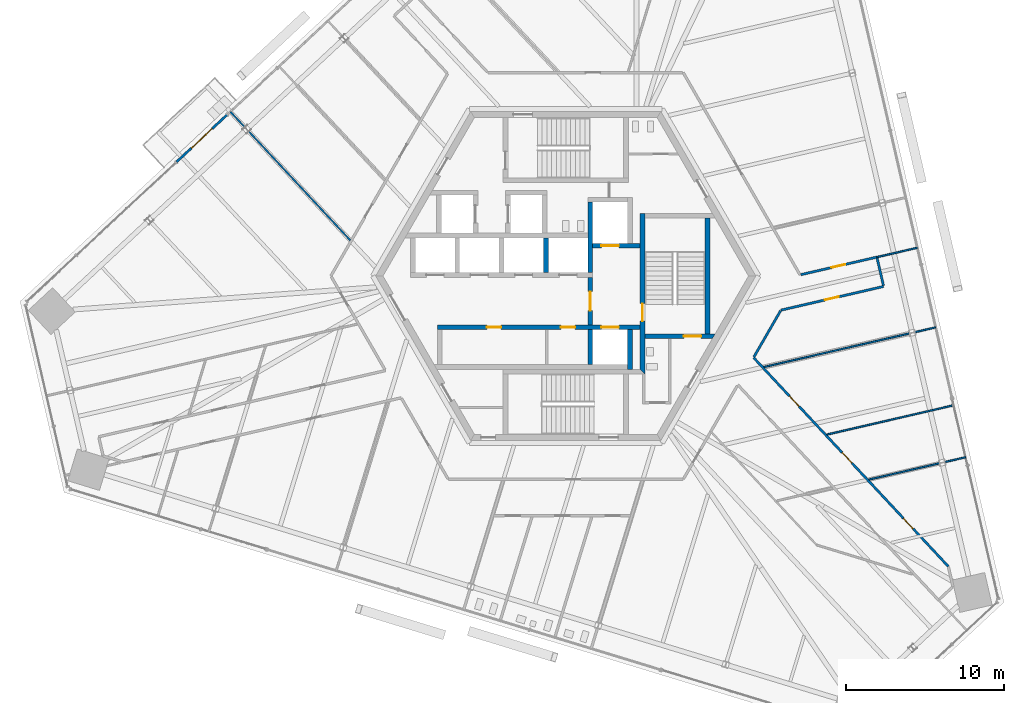
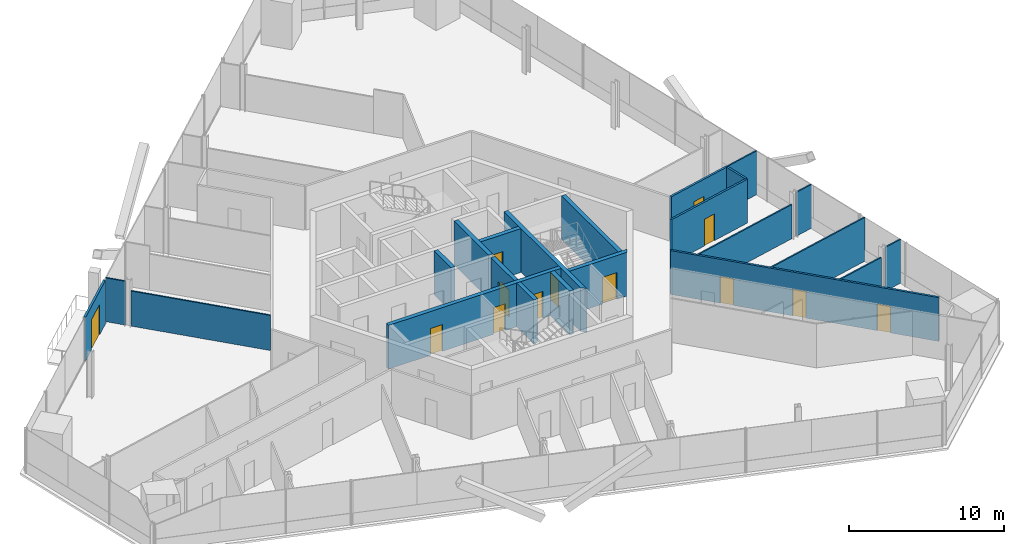
# One storey, part 14 of 20: 24 walls, 13 doors, 13 openings.
"""IFC4 building model written with IfcOpenShell, lengths in metres."""

from ifc_helpers import new_model, si_unit, direction, frame, frame_2d, origin, place, context, subcontext, project, spatial, polyline, rectangle, outline, extrude, source, transform, mapped, material, layer, layer_set, type_object, element, fill, save


model = new_model("IFC4")

# Units and contexts
model_context = context("Model", 3, precision=1e-05, world=origin(), true_north=direction((0.0, 1.0)))
body_context = subcontext(model_context, "Body", "Model", "MODEL_VIEW")
ifc_project = project(units=[si_unit("LENGTHUNIT", "METRE"), si_unit("AREAUNIT", "SQUARE_METRE"), si_unit("VOLUMEUNIT", "CUBIC_METRE"), si_unit("PLANEANGLEUNIT", "RADIAN"), si_unit("MASSUNIT", "GRAM", prefix="KILO")], contexts=[model_context])

# Site, building, storey
site_placement = place(None, origin())
site = spatial("IfcSite", under=ifc_project, at=site_placement, CompositionType="ELEMENT")
building_placement = place(site_placement, origin())
building = spatial("IfcBuilding", under=site, at=building_placement, Name="Triune Harvest Tower", CompositionType="ELEMENT")
storey_placement = place(building_placement, frame((0.0, 0.0, 116.300048828125)))
storey = spatial("IfcBuildingStorey", under=building, at=storey_placement, Name="L29", CompositionType="ELEMENT", Elevation=116.300048828125)

# Walls
ifc_material_1 = material(Name="Gypsum board on steel studs", Category="steel")
ifc_layer_1 = layer(ifc_material_1, 0.10009765625)
ifc_layer_set_1 = layer_set([ifc_layer_1], Name="Gypsum board on steel studs")
wall_type_1 = type_object("IfcWallType", Name="Partition 100 mm", PredefinedType="PARTITIONING", material=ifc_layer_set_1)
wall_1_placement = place(storey_placement, frame((16.4921875, -10.009765625, 0.0), z_axis=(0.0, 0.0, 1.0), x_axis=(0.9743726404, 0.22493989784, 0.0)))
element("IfcWall", 1, at=wall_1_placement, inside=storey, type_object=wall_type_1, Name="Partition L29 031", PredefinedType="PARTITIONING", context=body_context, shape_type="SweptSolid", body=[
    extrude(rectangle(XDim=8.206298828125, YDim=0.10009765625, at=frame_2d((4.10302734375, 0.0))), origin(), (0.0, 0.0, 1.0), 3.43994140625),
])
ifc_material_2 = material(Name="Concrete 70 MPa", Category="concrete")
ifc_layer_2 = layer(ifc_material_2, 0.300048828125)
ifc_layer_set_2 = layer_set([ifc_layer_2], Name="Concrete 70 MPa")
wall_type_2 = type_object("IfcWallType", Name="Core wall 300", PredefinedType="SHEAR", material=ifc_layer_set_2)
shared_shape_1 = source(origin(), body_context, "Body", "SweptSolid", [
    extrude(rectangle(XDim=2.5, YDim=0.300048828125, at=frame_2d((1.25, 0.0))), origin(), (0.0, 0.0, 1.0), 3.43994140625),
])
wall_2_placement = place(storey_placement, frame((4.050048828125, -5.889892578125, 0.0), z_axis=(0.0, 0.0, 1.0), x_axis=(0.0, 1.0, 0.0)))
element("IfcWall", 2, at=wall_2_placement, inside=storey, type_object=wall_type_2, Name="Ff2 east wall", PredefinedType="SHEAR", context=body_context, shape_type="MappedRepresentation", body=[
    mapped(shared_shape_1, transform((0.0, 0.0, 0.0), scale=1.0)),
])
shared_shape_2 = source(origin(), body_context, "Body", "SweptSolid", [
    extrude(rectangle(XDim=4.449951171875, YDim=0.300048828125, at=frame_2d((2.22509765625, 0.0))), origin(), (0.0, 0.0, 1.0), 3.43994140625),
])
wall_3_placement = place(storey_placement, frame((1.550048828125, 0.2099609375, 0.0), z_axis=(0.0, 0.0, 1.0), x_axis=(0.0, 1.0, 0.0)))
element("IfcWall", 3, at=wall_3_placement, inside=storey, type_object=wall_type_2, Name="Ff1 west wall", PredefinedType="SHEAR", context=body_context, shape_type="MappedRepresentation", body=[
    mapped(shared_shape_2, transform((0.0, 0.0, 0.0), scale=1.0)),
])

# Wall, opening, door
shared_shape_3 = source(origin(), body_context, "Body", "SweptSolid", [
    extrude(rectangle(XDim=3.0, YDim=0.300048828125, at=frame_2d((1.5, 0.0))), origin(), (0.0, 0.0, 1.0), 3.43994140625),
])
wall_4_placement = place(storey_placement, frame((1.699951171875, 1.909912109375, 0.0), z_axis=(0.0, 0.0, 1.0), x_axis=(1.0, 0.0, 0.0)))
wall_4 = element("IfcWall", 4, at=wall_4_placement, inside=storey, type_object=wall_type_2, Name="Ff1 front wall", PredefinedType="SHEAR", context=body_context, shape_type="MappedRepresentation", body=[
    mapped(shared_shape_3, transform((0.0, 0.0, 0.0), scale=1.0)),
])
opening_1_placement = place(wall_4_placement, frame((0.550048828125, 0.0, 0.0)))
opening_1 = element("IfcOpeningElement", 5, at=opening_1_placement, cuts=wall_4, Name="Opening LD-FF1-29", PredefinedType="OPENING", context=body_context, shape_type="SweptSolid", body=[
    extrude(rectangle(XDim=1.10009765625, YDim=2.10009765625, at=frame_2d((0.550048828125, 1.050048828125))), frame((0.0, 0.16015625, 0.0), z_axis=(0.0, -1.0, 0.0), x_axis=(1.0, 0.0, 0.0)), (0.0, 0.0, 1.0), 0.320068359375),
])
ifc_material_3 = material(Name="Stainless steel AISI 304", Category="steel")
door_type_1 = type_object("IfcDoorType", Name="Landing door 1100 x 2100", OperationType="DOUBLE_DOOR_SLIDING", PredefinedType="DOOR", material=ifc_material_3)
door_1_placement = place(opening_1_placement, origin())
door_1 = element("IfcDoor", 6, at=door_1_placement, inside=storey, type_object=door_type_1, Name="Door LD-FF1-29", OperationType="DOUBLE_DOOR_SLIDING", OverallHeight=2.10009765625, OverallWidth=1.10009765625, PredefinedType="DOOR", context=body_context, shape_type="SweptSolid", body=[
    extrude(rectangle(XDim=1.10009765625, YDim=2.10009765625, at=frame_2d((0.550048828125, 1.050048828125))), frame((0.0, 0.02490234375, 0.0), z_axis=(0.0, -1.0, 0.0), x_axis=(1.0, 0.0, 0.0)), (0.0, 0.0, 1.0), 0.050048828125),
])
fill(opening_1, door_1)

wall_5_placement = place(storey_placement, frame((1.550048828125, -3.090087890625, 0.0), z_axis=(0.0, 0.0, 1.0), x_axis=(0.0, 1.0, 0.0)))
wall_5 = element("IfcWall", 7, at=wall_5_placement, inside=storey, type_object=wall_type_2, Name="Ff lobby west wall", PredefinedType="SHEAR", context=body_context, shape_type="MappedRepresentation", body=[
    mapped(shared_shape_3, transform((0.0, 0.0, 0.0), scale=1.0)),
])
opening_2_placement = place(wall_5_placement, frame((0.89990234375, 0.0, 0.0)))
opening_2 = element("IfcOpeningElement", 8, at=opening_2_placement, cuts=wall_5, Name="Opening CD-FL", PredefinedType="OPENING", context=body_context, shape_type="SweptSolid", body=[
    extrude(rectangle(XDim=1.199951171875, YDim=2.10009765625, at=frame_2d((0.60009765625, 1.050048828125))), frame((0.0, 0.16015625, 0.0), z_axis=(0.0, -1.0, 0.0), x_axis=(1.0, 0.0, 0.0)), (0.0, 0.0, 1.0), 0.320068359375),
])
ifc_material_4 = material(Name="Steel S235", Category="steel")
door_type_2 = type_object("IfcDoorType", Name="Firefighters' lobby door 1200 FD120", OperationType="SINGLE_SWING_LEFT", PredefinedType="DOOR", material=ifc_material_4)
door_2_placement = place(opening_2_placement, frame((1.199951171875, 0.0, 0.0), z_axis=(0.0, 0.0, 1.0), x_axis=(-1.0, 0.0, 0.0)))
door_2 = element("IfcDoor", 9, at=door_2_placement, inside=storey, type_object=door_type_2, Name="Door CD-FL", OperationType="SINGLE_SWING_RIGHT", OverallHeight=2.10009765625, OverallWidth=1.199951171875, PredefinedType="DOOR", context=body_context, shape_type="SweptSolid", body=[
    extrude(rectangle(XDim=1.199951171875, YDim=2.10009765625, at=frame_2d((0.60009765625, 1.050048828125))), frame((0.0, 0.02490234375, 0.0), z_axis=(0.0, -1.0, 0.0), x_axis=(1.0, 0.0, 0.0)), (0.0, 0.0, 1.0), 0.050048828125),
])
fill(opening_2, door_2)

# Wall, openings, doors
shared_shape_4 = source(origin(), body_context, "Body", "SweptSolid", [
    extrude(rectangle(XDim=12.800048828125, YDim=0.300048828125, at=frame_2d((6.39990234375, 0.0))), origin(), (0.0, 0.0, 1.0), 3.43994140625),
])
wall_6_placement = place(storey_placement, frame((-8.10009765625, -3.239990234375, 0.0), z_axis=(0.0, 0.0, 1.0), x_axis=(1.0, 0.0, 0.0)))
wall_6 = element("IfcWall", 10, at=wall_6_placement, inside=storey, type_object=wall_type_2, Name="South front wall", PredefinedType="SHEAR", context=body_context, shape_type="MappedRepresentation", body=[
    mapped(shared_shape_4, transform((0.0, 0.0, 0.0), scale=1.0)),
])
opening_3_placement = place(wall_6_placement, frame((3.112548828125, 0.0, 0.0)))
opening_3 = element("IfcOpeningElement", 11, at=opening_3_placement, cuts=wall_6, Name="Opening CD-RS1", PredefinedType="OPENING", context=body_context, shape_type="SweptSolid", body=[
    extrude(rectangle(XDim=0.89990234375, YDim=2.10009765625, at=frame_2d((0.449951171875, 1.050048828125))), frame((0.0, 0.16015625, 0.0), z_axis=(0.0, -1.0, 0.0), x_axis=(1.0, 0.0, 0.0)), (0.0, 0.0, 1.0), 0.320068359375),
])
opening_4_placement = place(wall_6_placement, frame((7.78759765625, 0.0, 0.0)))
opening_4 = element("IfcOpeningElement", 12, at=opening_4_placement, cuts=wall_6, Name="Opening CD-RS2", PredefinedType="OPENING", context=body_context, shape_type="SweptSolid", body=[
    extrude(rectangle(XDim=0.89990234375, YDim=2.10009765625, at=frame_2d((0.449951171875, 1.050048828125))), frame((0.0, 0.16015625, 0.0), z_axis=(0.0, -1.0, 0.0), x_axis=(1.0, 0.0, 0.0)), (0.0, 0.0, 1.0), 0.320068359375),
])
opening_5_placement = place(wall_6_placement, frame((10.35009765625, 0.0, 0.0)))
opening_5 = element("IfcOpeningElement", 13, at=opening_5_placement, cuts=wall_6, Name="Opening LD-FF2-29", PredefinedType="OPENING", context=body_context, shape_type="SweptSolid", body=[
    extrude(rectangle(XDim=1.10009765625, YDim=2.10009765625, at=frame_2d((0.550048828125, 1.050048828125))), frame((0.0, 0.16015625, 0.0), z_axis=(0.0, -1.0, 0.0), x_axis=(1.0, 0.0, 0.0)), (0.0, 0.0, 1.0), 0.320068359375),
])
door_3_placement = place(opening_5_placement, origin())
door_3 = element("IfcDoor", 14, at=door_3_placement, inside=storey, type_object=door_type_1, Name="Door LD-FF2-29", OperationType="DOUBLE_DOOR_SLIDING", OverallHeight=2.10009765625, OverallWidth=1.10009765625, PredefinedType="DOOR", context=body_context, shape_type="SweptSolid", body=[
    extrude(rectangle(XDim=1.10009765625, YDim=2.10009765625, at=frame_2d((0.550048828125, 1.050048828125))), frame((0.0, 0.02490234375, 0.0), z_axis=(0.0, -1.0, 0.0), x_axis=(1.0, 0.0, 0.0)), (0.0, 0.0, 1.0), 0.050048828125),
])
fill(opening_5, door_3)
ifc_material_5 = material(Name="Steel S235", Category="steel")
door_type_3 = type_object("IfcDoorType", Name="Riser door 900 FD120", OperationType="SINGLE_SWING_LEFT", PredefinedType="DOOR", material=ifc_material_5)
door_4_placement = place(opening_3_placement, origin())
door_4 = element("IfcDoor", 15, at=door_4_placement, inside=storey, type_object=door_type_3, Name="Door CD-RS1", OperationType="SINGLE_SWING_LEFT", OverallHeight=2.10009765625, OverallWidth=0.89990234375, PredefinedType="DOOR", context=body_context, shape_type="SweptSolid", body=[
    extrude(rectangle(XDim=0.89990234375, YDim=2.10009765625, at=frame_2d((0.449951171875, 1.050048828125))), frame((0.0, 0.02490234375, 0.0), z_axis=(0.0, -1.0, 0.0), x_axis=(1.0, 0.0, 0.0)), (0.0, 0.0, 1.0), 0.050048828125),
])
fill(opening_3, door_4)
door_5_placement = place(opening_4_placement, origin())
door_5 = element("IfcDoor", 16, at=door_5_placement, inside=storey, type_object=door_type_3, Name="Door CD-RS2", OperationType="SINGLE_SWING_LEFT", OverallHeight=2.10009765625, OverallWidth=0.89990234375, PredefinedType="DOOR", context=body_context, shape_type="SweptSolid", body=[
    extrude(rectangle(XDim=0.89990234375, YDim=2.10009765625, at=frame_2d((0.449951171875, 1.050048828125))), frame((0.0, 0.02490234375, 0.0), z_axis=(0.0, -1.0, 0.0), x_axis=(1.0, 0.0, 0.0)), (0.0, 0.0, 1.0), 0.050048828125),
])
fill(opening_4, door_5)

# Walls
shared_shape_5 = source(origin(), body_context, "Body", "SweptSolid", [
    extrude(rectangle(XDim=2.2001953125, YDim=0.300048828125, at=frame_2d((1.10009765625, 0.0))), origin(), (0.0, 0.0, 1.0), 3.43994140625),
])
wall_7_placement = place(storey_placement, frame((1.550048828125, -5.590087890625, 0.0), z_axis=(0.0, 0.0, 1.0), x_axis=(0.0, 1.0, 0.0)))
element("IfcWall", 17, at=wall_7_placement, inside=storey, type_object=wall_type_2, Name="Ff2 west wall", PredefinedType="SHEAR", context=body_context, shape_type="MappedRepresentation", body=[
    mapped(shared_shape_5, transform((0.0, 0.0, 0.0), scale=1.0)),
])
shared_shape_6 = source(origin(), body_context, "Body", "SweptSolid", [
    extrude(rectangle(XDim=2.199951171875, YDim=0.300048828125, at=frame_2d((1.10009765625, 0.0))), origin(), (0.0, 0.0, 1.0), 3.43994140625),
])
wall_8_placement = place(storey_placement, frame((-1.25, 0.2099609375, 0.0), z_axis=(0.0, 0.0, 1.0), x_axis=(0.0, 1.0, 0.0)))
element("IfcWall", 18, at=wall_8_placement, inside=storey, type_object=wall_type_2, Name="North cross 3 wall", PredefinedType="SHEAR", context=body_context, shape_type="MappedRepresentation", body=[
    mapped(shared_shape_6, transform((0.0, 0.0, 0.0), scale=1.0)),
])

# Wall, opening, door
shared_shape_7 = source(origin(), body_context, "Body", "SweptSolid", [
    extrude(outline(polyline([(-0.14990234375, -0.14990234375), (9.989990234375, -0.14990234375), (9.989990234375, 0.14990234375), (0.14990234375, 0.14990234375), (-0.14990234375, -0.14990234375)])), origin(), (0.0, 0.0, 1.0), 3.43994140625),
])
wall_9_placement = place(storey_placement, frame((4.85009765625, -6.0400390625, 0.0), z_axis=(0.0, 0.0, 1.0), x_axis=(0.0, 1.0, 0.0)))
wall_9 = element("IfcWall", 19, at=wall_9_placement, inside=storey, type_object=wall_type_2, Name="Stair e west wall", PredefinedType="SHEAR", context=body_context, shape_type="MappedRepresentation", body=[
    mapped(shared_shape_7, transform((0.0, 0.0, 0.0), scale=1.0)),
])
opening_6_placement = place(wall_9_placement, frame((3.18994140625, 0.0, 0.0)))
opening_6 = element("IfcOpeningElement", 20, at=opening_6_placement, cuts=wall_9, Name="Opening CD-S3L", PredefinedType="OPENING", context=body_context, shape_type="SweptSolid", body=[
    extrude(rectangle(XDim=1.10009765625, YDim=2.10009765625, at=frame_2d((0.550048828125, 1.050048828125))), frame((0.0, 0.16015625, 0.0), z_axis=(0.0, -1.0, 0.0), x_axis=(1.0, 0.0, 0.0)), (0.0, 0.0, 1.0), 0.320068359375),
])
ifc_material_6 = material(Name="Steel S235", Category="steel")
door_type_4 = type_object("IfcDoorType", Name="Stair door 1100 FD120", OperationType="SINGLE_SWING_LEFT", PredefinedType="DOOR", material=ifc_material_6)
door_6_placement = place(opening_6_placement, frame((1.10009765625, 0.0, 0.0), z_axis=(0.0, 0.0, 1.0), x_axis=(-1.0, 0.0, 0.0)))
door_6 = element("IfcDoor", 21, at=door_6_placement, inside=storey, type_object=door_type_4, Name="Door CD-S3L", OperationType="SINGLE_SWING_RIGHT", OverallHeight=2.10009765625, OverallWidth=1.10009765625, PredefinedType="DOOR", context=body_context, shape_type="SweptSolid", body=[
    extrude(rectangle(XDim=1.10009765625, YDim=2.10009765625, at=frame_2d((0.550048828125, 1.050048828125))), frame((0.0, 0.02490234375, 0.0), z_axis=(0.0, -1.0, 0.0), x_axis=(1.0, 0.0, 0.0)), (0.0, 0.0, 1.0), 0.050048828125),
])
fill(opening_6, door_6)

shared_shape_8 = source(origin(), body_context, "Body", "SweptSolid", [
    extrude(outline(polyline([(0.0, -0.14990234375), (0.0, 0.14990234375), (4.43310546875, 0.14990234375), (4.260009765625, -0.14990234375), (0.0, -0.14990234375)])), origin(), (0.0, 0.0, 1.0), 3.43994140625),
])
wall_10_placement = place(storey_placement, frame((5.0, -3.800048828125, 0.0), z_axis=(0.0, 0.0, 1.0), x_axis=(1.0, 0.0, 0.0)))
wall_10 = element("IfcWall", 22, at=wall_10_placement, inside=storey, type_object=wall_type_2, Name="Stair e south wall", PredefinedType="SHEAR", context=body_context, shape_type="MappedRepresentation", body=[
    mapped(shared_shape_8, transform((0.0, 0.0, 0.0), scale=1.0)),
])
opening_7_placement = place(wall_10_placement, frame((2.449951171875, 0.0, 0.0)))
opening_7 = element("IfcOpeningElement", 23, at=opening_7_placement, cuts=wall_10, Name="Opening CD-S3D", PredefinedType="OPENING", context=body_context, shape_type="SweptSolid", body=[
    extrude(rectangle(XDim=1.10009765625, YDim=2.10009765625, at=frame_2d((0.550048828125, 1.050048828125))), frame((0.0, 0.16015625, 0.0), z_axis=(0.0, -1.0, 0.0), x_axis=(1.0, 0.0, 0.0)), (0.0, 0.0, 1.0), 0.320068359375),
])
door_7_placement = place(opening_7_placement, frame((1.10009765625, 0.0, 0.0), z_axis=(0.0, 0.0, 1.0), x_axis=(-1.0, 0.0, 0.0)))
door_7 = element("IfcDoor", 24, at=door_7_placement, inside=storey, type_object=door_type_4, Name="Door CD-S3D", OperationType="SINGLE_SWING_RIGHT", OverallHeight=2.10009765625, OverallWidth=1.10009765625, PredefinedType="DOOR", context=body_context, shape_type="SweptSolid", body=[
    extrude(rectangle(XDim=1.10009765625, YDim=2.10009765625, at=frame_2d((0.550048828125, 1.050048828125))), frame((0.0, 0.02490234375, 0.0), z_axis=(0.0, -1.0, 0.0), x_axis=(1.0, 0.0, 0.0)), (0.0, 0.0, 1.0), 0.050048828125),
])
fill(opening_7, door_7)

# Wall
shared_shape_9 = source(origin(), body_context, "Body", "SweptSolid", [
    extrude(rectangle(XDim=7.2998046875, YDim=0.300048828125, at=frame_2d((3.64990234375, 0.0))), origin(), (0.0, 0.0, 1.0), 3.43994140625),
])
wall_11_placement = place(storey_placement, frame((8.949951171875, -3.64990234375, 0.0), z_axis=(0.0, 0.0, 1.0), x_axis=(0.0, 1.0, 0.0)))
element("IfcWall", 25, at=wall_11_placement, inside=storey, type_object=wall_type_2, Name="Stair e east wall", PredefinedType="SHEAR", context=body_context, shape_type="MappedRepresentation", body=[
    mapped(shared_shape_9, transform((0.0, 0.0, 0.0), scale=1.0)),
])

# Wall, opening, door
ifc_material_7 = material(Name="Aluminium bronze anodised", Category="aluminium")
ifc_layer_3 = layer(ifc_material_7, 0.14990234375)
ifc_layer_set_3 = layer_set([ifc_layer_3], Name="Aluminium bronze anodised")
wall_type_3 = type_object("IfcWallType", Name="WW-2 balcony window wall", PredefinedType="ELEMENTEDWALL", material=ifc_layer_set_3)
shared_shape_10 = source(origin(), body_context, "Body", "SweptSolid", [
    extrude(rectangle(XDim=4.353271484375, YDim=0.14990234375, at=frame_2d((2.1767578125, 0.0))), origin(), (0.0, 0.0, 1.0), 3.43994140625),
])
wall_12_placement = place(storey_placement, frame((-24.572021484375, 7.200439453125, 0.0), z_axis=(0.0, 0.0, 1.0), x_axis=(0.731351722258, 0.682000482661, 0.0)))
wall_12 = element("IfcWall", 26, at=wall_12_placement, inside=storey, type_object=wall_type_3, Name="WW-2 B3-F3 L29.9", PredefinedType="ELEMENTEDWALL", context=body_context, shape_type="MappedRepresentation", body=[
    mapped(shared_shape_10, transform((0.0, 0.0, 0.0), scale=1.0)),
])
opening_8_placement = place(wall_12_placement, frame((1.276611328125, 0.0, 0.0)))
opening_8 = element("IfcOpeningElement", 27, at=opening_8_placement, cuts=wall_12, Name="Opening L29-E01", PredefinedType="OPENING", context=body_context, shape_type="SweptSolid", body=[
    extrude(rectangle(XDim=1.800048828125, YDim=2.39990234375, at=frame_2d((0.89990234375, 1.199951171875))), frame((0.0, 0.0849609375, 0.0), z_axis=(0.0, -1.0, 0.0), x_axis=(1.0, 0.0, 0.0)), (0.0, 0.0, 1.0), 0.169921875),
])
ifc_material_8 = material(Name="Glass", Category="glass")
door_type_5 = type_object("IfcDoorType", Name="DB-1 balcony door 1800 x 2400", OperationType="DOUBLE_DOOR_SINGLE_SWING", PredefinedType="DOOR", material=ifc_material_8)
door_8_placement = place(opening_8_placement, origin())
door_8 = element("IfcDoor", 28, at=door_8_placement, inside=storey, type_object=door_type_5, Name="Door L29-E01", OperationType="DOUBLE_DOOR_SINGLE_SWING", OverallHeight=2.39990234375, OverallWidth=1.800048828125, PredefinedType="DOOR", context=body_context, shape_type="SweptSolid", body=[
    extrude(rectangle(XDim=1.800048828125, YDim=2.39990234375, at=frame_2d((0.89990234375, 1.199951171875))), frame((0.0, 0.02490234375, 0.0), z_axis=(0.0, -1.0, 0.0), x_axis=(1.0, 0.0, 0.0)), (0.0, 0.0, 1.0), 0.050048828125),
])
fill(opening_8, door_8)

# Walls
shared_shape_11 = source(origin(), body_context, "Body", "SweptSolid", [
    extrude(rectangle(XDim=1.338134765625, YDim=0.10009765625, at=frame_2d((0.6689453125, 0.0))), origin(), (0.0, 0.0, 1.0), 3.43994140625),
])
for number, where, z_axis, x_axis, name in (
    (29, (-21.17431640625, 10.368896484375, 0.0), (0.0, 0.0, 1.0), (0.681954155979, -0.731394920096, 0.0), "Partition L29 007"),
    (30, (23.941650390625, -11.744384765625, 0.0), (0.0, 0.0, 1.0), (0.974363511026, 0.224979439906, 0.0), "Partition L29 030"),
    (31, (22.048828125, -3.54541015625, 0.0), (0.0, 0.0, 1.0), (0.974363511026, 0.224979439906, 0.0), "Partition L29 033"),
):
    element("IfcWall", number, at=place(storey_placement, frame(where, z_axis=z_axis, x_axis=x_axis)), inside=storey, type_object=wall_type_1, Name=name, PredefinedType="PARTITIONING", context=body_context, shape_type="MappedRepresentation", body=[
        mapped(shared_shape_11, transform((0.0, 0.0, 0.0), scale=1.0)),
    ])
ifc_material_9 = material(Name="Gypsum board on steel studs", Category="steel")
ifc_layer_4 = layer(ifc_material_9, 0.14990234375)
ifc_layer_set_4 = layer_set([ifc_layer_4], Name="Gypsum board on steel studs")
wall_type_4 = type_object("IfcWallType", Name="Fire Partition 150 mm", PredefinedType="PARTITIONING", material=ifc_layer_set_4)
shared_shape_12 = source(origin(), body_context, "Body", "SweptSolid", [
    extrude(rectangle(XDim=1.7900390625, YDim=0.14990234375, at=frame_2d((0.89501953125, 0.0))), origin(), (0.0, 0.0, 1.0), 3.43994140625),
])
wall_13_placement = place(storey_placement, frame((19.652587890625, 1.142578125, 0.0), z_axis=(0.0, 0.0, 1.0), x_axis=(0.22503879836, -0.974349803322, 0.0)))
element("IfcWall", 32, at=wall_13_placement, inside=storey, type_object=wall_type_4, Name="Partition L29 002", PredefinedType="PARTITIONING", context=body_context, shape_type="MappedRepresentation", body=[
    mapped(shared_shape_12, transform((0.0, 0.0, 0.0), scale=1.0)),
])

# Wall, openings, doors
shared_shape_13 = source(origin(), body_context, "Body", "SweptSolid", [
    extrude(rectangle(XDim=18.026611328125, YDim=0.14990234375, at=frame_2d((9.01318359375, 0.0))), origin(), (0.0, 0.0, 1.0), 3.43994140625),
])
wall_14_placement = place(storey_placement, frame((11.85498046875, -5.15087890625, 0.0), z_axis=(0.0, 0.0, 1.0), x_axis=(0.681992947505, -0.731358748873, 0.0)))
wall_14 = element("IfcWall", 33, at=wall_14_placement, inside=storey, type_object=wall_type_4, Name="Partition L29 018", PredefinedType="PARTITIONING", context=body_context, shape_type="MappedRepresentation", body=[
    mapped(shared_shape_13, transform((0.0, 0.0, 0.0), scale=1.0)),
])
opening_9_placement = place(wall_14_placement, frame((13.87841796875, 0.0, 0.0)))
opening_9 = element("IfcOpeningElement", 34, at=opening_9_placement, cuts=wall_14, Name="Opening L29-002", PredefinedType="OPENING", context=body_context, shape_type="SweptSolid", body=[
    extrude(rectangle(XDim=0.89990234375, YDim=2.10009765625, at=frame_2d((0.449951171875, 1.050048828125))), frame((0.0, 0.0849609375, 0.0), z_axis=(0.0, -1.0, 0.0), x_axis=(1.0, 0.0, 0.0)), (0.0, 0.0, 1.0), 0.169921875),
])
opening_10_placement = place(wall_14_placement, frame((3.321044921875, 0.0, 0.0)))
opening_10 = element("IfcOpeningElement", 35, at=opening_10_placement, cuts=wall_14, Name="Opening L29-004", PredefinedType="OPENING", context=body_context, shape_type="SweptSolid", body=[
    extrude(rectangle(XDim=0.89990234375, YDim=2.10009765625, at=frame_2d((0.449951171875, 1.050048828125))), frame((0.0, 0.0849609375, 0.0), z_axis=(0.0, -1.0, 0.0), x_axis=(1.0, 0.0, 0.0)), (0.0, 0.0, 1.0), 0.169921875),
])
opening_11_placement = place(wall_14_placement, frame((8.20751953125, 0.0, 0.0)))
opening_11 = element("IfcOpeningElement", 36, at=opening_11_placement, cuts=wall_14, Name="Opening L29-005", PredefinedType="OPENING", context=body_context, shape_type="SweptSolid", body=[
    extrude(rectangle(XDim=0.89990234375, YDim=2.10009765625, at=frame_2d((0.449951171875, 1.050048828125))), frame((0.0, 0.0849609375, 0.0), z_axis=(0.0, -1.0, 0.0), x_axis=(1.0, 0.0, 0.0)), (0.0, 0.0, 1.0), 0.169921875),
])
ifc_material_10 = material(Name="Timber and steel door set", Category="steel")
door_type_6 = type_object("IfcDoorType", Name="Single leaf door FD30 left hand 900 x 2100", OperationType="SINGLE_SWING_LEFT", PredefinedType="DOOR", material=ifc_material_10)
door_9_placement = place(opening_10_placement, origin())
door_9 = element("IfcDoor", 37, at=door_9_placement, inside=storey, type_object=door_type_6, Name="Door L29-004 Project Room 29.04", OperationType="SINGLE_SWING_LEFT", OverallHeight=2.10009765625, OverallWidth=0.89990234375, PredefinedType="DOOR", context=body_context, shape_type="SweptSolid", body=[
    extrude(rectangle(XDim=0.89990234375, YDim=2.10009765625, at=frame_2d((0.449951171875, 1.050048828125))), frame((0.0, 0.02490234375, 0.0), z_axis=(0.0, -1.0, 0.0), x_axis=(1.0, 0.0, 0.0)), (0.0, 0.0, 1.0), 0.050048828125),
])
fill(opening_10, door_9)
door_10_placement = place(opening_11_placement, origin())
door_10 = element("IfcDoor", 38, at=door_10_placement, inside=storey, type_object=door_type_6, Name="Door L29-005 Pantry 29.05", OperationType="SINGLE_SWING_LEFT", OverallHeight=2.10009765625, OverallWidth=0.89990234375, PredefinedType="DOOR", context=body_context, shape_type="SweptSolid", body=[
    extrude(rectangle(XDim=0.89990234375, YDim=2.10009765625, at=frame_2d((0.449951171875, 1.050048828125))), frame((0.0, 0.02490234375, 0.0), z_axis=(0.0, -1.0, 0.0), x_axis=(1.0, 0.0, 0.0)), (0.0, 0.0, 1.0), 0.050048828125),
])
fill(opening_11, door_10)
ifc_material_11 = material(Name="Timber and steel door set", Category="steel")
door_type_7 = type_object("IfcDoorType", Name="Single leaf door FD30 right hand 900 x 2100", OperationType="SINGLE_SWING_RIGHT", PredefinedType="DOOR", material=ifc_material_11)
door_11_placement = place(opening_9_placement, origin())
door_11 = element("IfcDoor", 39, at=door_11_placement, inside=storey, type_object=door_type_7, Name="Door L29-002 Open Office 29.02", OperationType="SINGLE_SWING_RIGHT", OverallHeight=2.10009765625, OverallWidth=0.89990234375, PredefinedType="DOOR", context=body_context, shape_type="SweptSolid", body=[
    extrude(rectangle(XDim=0.89990234375, YDim=2.10009765625, at=frame_2d((0.449951171875, 1.050048828125))), frame((0.0, 0.02490234375, 0.0), z_axis=(0.0, -1.0, 0.0), x_axis=(1.0, 0.0, 0.0)), (0.0, 0.0, 1.0), 0.050048828125),
])
fill(opening_9, door_11)

# Walls
shared_shape_14 = source(origin(), body_context, "Body", "SweptSolid", [
    extrude(rectangle(XDim=4.56396484375, YDim=0.10009765625, at=frame_2d((2.281982421875, 0.0))), origin(), (0.0, 0.0, 1.0), 2.82763671875),
])
wall_15_placement = place(storey_placement, frame((19.142822265625, -12.852294921875, 0.0), z_axis=(0.0, 0.0, 1.0), x_axis=(0.974361435855, 0.224988427077, 0.0)))
element("IfcWall", 40, at=wall_15_placement, inside=storey, type_object=wall_type_1, Name="Partition L29 029", PredefinedType="PARTITIONING", context=body_context, shape_type="MappedRepresentation", body=[
    mapped(shared_shape_14, transform((0.0, 0.0, 0.0), scale=1.0)),
])
shared_shape_15 = source(origin(), body_context, "Body", "SweptSolid", [
    extrude(rectangle(XDim=9.421875, YDim=0.10009765625, at=frame_2d((4.7109375, 0.0))), origin(), (0.0, 0.0, 1.0), 2.682861328125),
])
wall_16_placement = place(storey_placement, frame((12.5166015625, -5.74609375, 0.0), z_axis=(0.0, 0.0, 1.0), x_axis=(0.974371976436, 0.224942773913, 0.0)))
element("IfcWall", 41, at=wall_16_placement, inside=storey, type_object=wall_type_1, Name="Partition L29 032", PredefinedType="PARTITIONING", context=body_context, shape_type="MappedRepresentation", body=[
    mapped(shared_shape_15, transform((0.0, 0.0, 0.0), scale=1.0)),
])
shared_shape_16 = source(origin(), body_context, "Body", "SweptSolid", [
    extrude(rectangle(XDim=3.36767578125, YDim=0.14990234375, at=frame_2d((1.683837890625, 0.0))), origin(), (0.0, 0.0, 1.0), 3.43994140625),
])
wall_17_placement = place(storey_placement, frame((11.8798828125, -5.10791015625, 0.0), z_axis=(0.0, 0.0, 1.0), x_axis=(0.499998569178, 0.866026229868, 0.0)))
element("IfcWall", 42, at=wall_17_placement, inside=storey, type_object=wall_type_4, Name="Partition L29 048", PredefinedType="PARTITIONING", context=body_context, shape_type="MappedRepresentation", body=[
    mapped(shared_shape_16, transform((0.0, 0.0, 0.0), scale=1.0)),
])
shared_shape_17 = source(origin(), body_context, "Body", "SweptSolid", [
    extrude(rectangle(XDim=9.398681640625, YDim=0.10009765625, at=frame_2d((4.69921875, 0.0))), origin(), (0.0, 0.0, 1.0), 2.7568359375),
])
wall_18_placement = place(storey_placement, frame((-20.015625, 9.126220703125, 0.0), z_axis=(0.0, 0.0, 1.0), x_axis=(0.681998884557, -0.73135321252, 0.0)))
element("IfcWall", 43, at=wall_18_placement, inside=storey, type_object=wall_type_1, Name="Partition L29 008", PredefinedType="PARTITIONING", context=body_context, shape_type="MappedRepresentation", body=[
    mapped(shared_shape_17, transform((0.0, 0.0, 0.0), scale=1.0)),
])

# Wall, opening, door
shared_shape_18 = source(origin(), body_context, "Body", "SweptSolid", [
    extrude(rectangle(XDim=6.6552734375, YDim=0.14990234375, at=frame_2d((3.32763671875, 0.0))), origin(), (0.0, 0.0, 1.0), 3.43994140625),
])
wall_19_placement = place(storey_placement, frame((13.583740234375, -2.156982421875, 0.0), z_axis=(0.0, 0.0, 1.0), x_axis=(0.974370788637, 0.224947918976, 0.0)))
wall_19 = element("IfcWall", 44, at=wall_19_placement, inside=storey, type_object=wall_type_4, Name="Partition L29 037", PredefinedType="PARTITIONING", context=body_context, shape_type="MappedRepresentation", body=[
    mapped(shared_shape_18, transform((0.0, 0.0, 0.0), scale=1.0)),
])
opening_12_placement = place(wall_19_placement, frame((2.85009765625, 0.0, 0.0)))
opening_12 = element("IfcOpeningElement", 45, at=opening_12_placement, cuts=wall_19, Name="Opening L29-006", PredefinedType="OPENING", context=body_context, shape_type="SweptSolid", body=[
    extrude(rectangle(XDim=0.89990234375, YDim=2.10009765625, at=frame_2d((0.449951171875, 1.050048828125))), frame((0.0, 0.0849609375, 0.0), z_axis=(0.0, -1.0, 0.0), x_axis=(1.0, 0.0, 0.0)), (0.0, 0.0, 1.0), 0.169921875),
])
door_12_placement = place(opening_12_placement, origin())
door_12 = element("IfcDoor", 46, at=door_12_placement, inside=storey, type_object=door_type_7, Name="Door L29-006 Office 29.06", OperationType="SINGLE_SWING_RIGHT", OverallHeight=2.10009765625, OverallWidth=0.89990234375, PredefinedType="DOOR", context=body_context, shape_type="SweptSolid", body=[
    extrude(rectangle(XDim=0.89990234375, YDim=2.10009765625, at=frame_2d((0.449951171875, 1.050048828125))), frame((0.0, 0.02490234375, 0.0), z_axis=(0.0, -1.0, 0.0), x_axis=(1.0, 0.0, 0.0)), (0.0, 0.0, 1.0), 0.050048828125),
])
fill(opening_12, door_12)

shared_shape_19 = source(origin(), body_context, "Body", "SweptSolid", [
    extrude(rectangle(XDim=4.930908203125, YDim=0.14990234375, at=frame_2d((2.46533203125, 0.0))), origin(), (0.0, 0.0, 1.0), 3.43994140625),
])
wall_20_placement = place(storey_placement, frame((14.836669921875, 0.082275390625, 0.0), z_axis=(0.0, 0.0, 1.0), x_axis=(0.974372833572, 0.224939061076, 0.0)))
wall_20 = element("IfcWall", 47, at=wall_20_placement, inside=storey, type_object=wall_type_4, Name="Partition L29 039", PredefinedType="PARTITIONING", context=body_context, shape_type="MappedRepresentation", body=[
    mapped(shared_shape_19, transform((0.0, 0.0, 0.0), scale=1.0)),
])
opening_13_placement = place(wall_20_placement, frame((1.990478515625, 0.0, 0.0)))
opening_13 = element("IfcOpeningElement", 48, at=opening_13_placement, cuts=wall_20, Name="Opening L29-007", PredefinedType="OPENING", context=body_context, shape_type="SweptSolid", body=[
    extrude(rectangle(XDim=0.89990234375, YDim=2.10009765625, at=frame_2d((0.449951171875, 1.050048828125))), frame((0.0, 0.0849609375, 0.0), z_axis=(0.0, -1.0, 0.0), x_axis=(1.0, 0.0, 0.0)), (0.0, 0.0, 1.0), 0.169921875),
])
door_13_placement = place(opening_13_placement, origin())
door_13 = element("IfcDoor", 49, at=door_13_placement, inside=storey, type_object=door_type_7, Name="Door L29-007 Meeting Room 29.07", OperationType="SINGLE_SWING_RIGHT", OverallHeight=2.10009765625, OverallWidth=0.89990234375, PredefinedType="DOOR", context=body_context, shape_type="SweptSolid", body=[
    extrude(rectangle(XDim=0.89990234375, YDim=2.10009765625, at=frame_2d((0.449951171875, 1.050048828125))), frame((0.0, 0.02490234375, 0.0), z_axis=(0.0, -1.0, 0.0), x_axis=(1.0, 0.0, 0.0)), (0.0, 0.0, 1.0), 0.050048828125),
])
fill(opening_13, door_13)

# Wall
shared_shape_20 = source(origin(), body_context, "Body", "SweptSolid", [
    extrude(rectangle(XDim=2.618408203125, YDim=0.10009765625, at=frame_2d((1.30908203125, 0.0))), origin(), (0.0, 0.0, 1.0), 3.43994140625),
])
wall_21_placement = place(storey_placement, frame((19.64111328125, 1.19140625, 0.0), z_axis=(0.0, 0.0, 1.0), x_axis=(0.97436132925, 0.224988888754, 0.0)))
element("IfcWall", 50, at=wall_21_placement, inside=storey, type_object=wall_type_1, Name="Partition L29 040", PredefinedType="PARTITIONING", context=body_context, shape_type="MappedRepresentation", body=[
    mapped(shared_shape_20, transform((0.0, 0.0, 0.0), scale=1.0)),
])

save(model, "model.ifc")
